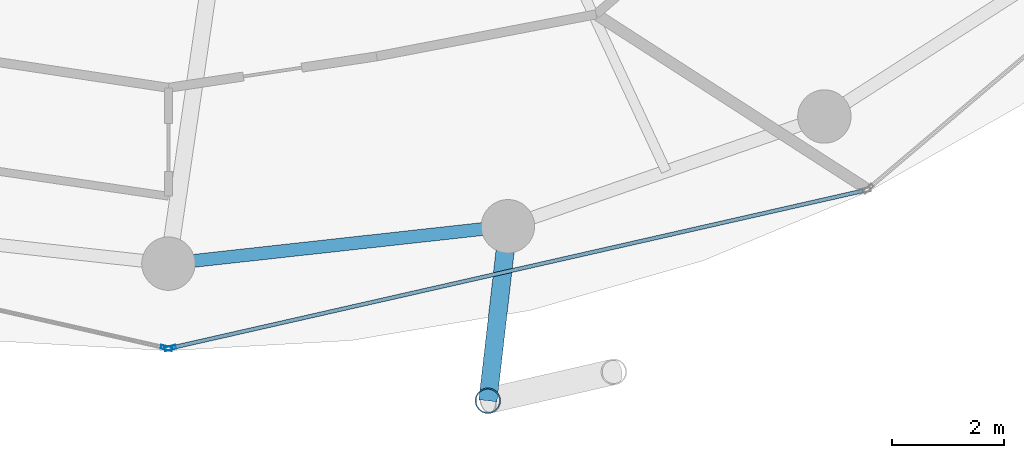
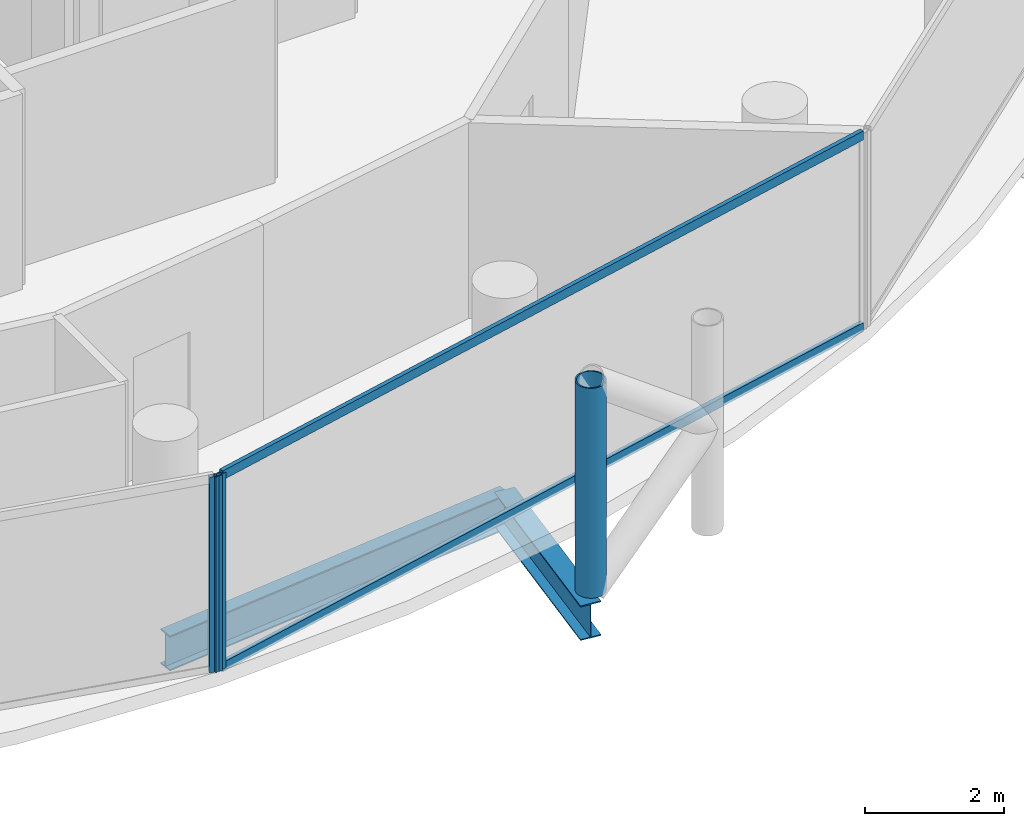
# One storey, part 4 of 26: 5 members, 2 beams, 2 elements without a shape of their own.
"""IFC4 building model written with IfcOpenShell, lengths in metres."""

from ifc_helpers import new_model, si_unit, direction, frame, origin, origin_2d, place, context, subcontext, project, spatial, hollow_rectangle, hollow_circle, i_section, extrude, material, layer, layer_set, material_profile, profile_set, type_object, element, aggregate, save


model = new_model("IFC4")

# Units and contexts
model_context = context("Model", 3, precision=1e-05, world=origin(), true_north=direction((0.0, 1.0)))
body_context = subcontext(model_context, "Body", "Model", "MODEL_VIEW")
ifc_project = project(units=[si_unit("LENGTHUNIT", "METRE"), si_unit("AREAUNIT", "SQUARE_METRE"), si_unit("VOLUMEUNIT", "CUBIC_METRE"), si_unit("PLANEANGLEUNIT", "RADIAN"), si_unit("MASSUNIT", "GRAM", prefix="KILO")], contexts=[model_context])

# Site, building, storey
site_placement = place(None, origin())
site = spatial("IfcSite", under=ifc_project, at=site_placement, CompositionType="ELEMENT")
building_placement = place(site_placement, origin())
building = spatial("IfcBuilding", under=site, at=building_placement, Name="Nuhasar Tower", CompositionType="ELEMENT")
storey_placement = place(building_placement, frame((0.0, 0.0, 177.449951171875)))
storey = spatial("IfcBuildingStorey", under=building, at=storey_placement, Name="L43", CompositionType="ELEMENT", Elevation=177.449951171875)

# Beams
ifc_material_1 = material(Name="Steel S355", Category="steel")
ifc_material_profile_1 = material_profile(ifc_material_1, i_section(OverallWidth=0.22998046875, OverallDepth=0.616943359375, WebThickness=0.01318359375, FlangeThickness=0.022216796875, at=origin_2d()), Name="W24X94")
ifc_profile_set_1 = profile_set([ifc_material_profile_1], Name="Steel S355")
beam_type_1 = type_object("IfcBeamType", Name="BM-RING-W24X94", PredefinedType="SPANDREL", material=ifc_profile_set_1)
beam_1_placement = place(storey_placement, frame((39.0, 7.25, -0.558837890625), z_axis=(0.993981289157, 0.109549974015, 0.0), x_axis=(-0.109549974015, 0.993981289157, 0.0)))
element("IfcBeam", 1, at=beam_1_placement, inside=storey, type_object=beam_type_1, Name="L43 Perimeter Ring Spandrel 19", PredefinedType="SPANDREL", context=body_context, shape_type="SweptSolid", body=[
    extrude(i_section(OverallWidth=0.22998046875, OverallDepth=0.616943359375, WebThickness=0.01318359375, FlangeThickness=0.022216796875, at=origin_2d()), origin(), (0.0, 0.0, 1.0), 6.07958984375),
])
ifc_material_profile_2 = material_profile(ifc_material_1, i_section(OverallWidth=0.323974609375, OverallDepth=0.611083984375, WebThickness=0.0126953125, FlangeThickness=0.01904296875, at=origin_2d()), Name="W24X104")
ifc_profile_set_2 = profile_set([ifc_material_profile_2], Name="Steel S355")
beam_type_2 = type_object("IfcBeamType", Name="BM-TIE-W24X104", PredefinedType="BEAM", material=ifc_profile_set_2)
beam_2_placement = place(storey_placement, frame((45.04296875, 7.916015625, -0.555908203125), z_axis=(-0.114167639647, -0.993461499031, 0.0), x_axis=(0.993461499031, -0.114167639647, 0.0)))
element("IfcBeam", 2, at=beam_2_placement, inside=storey, type_object=beam_type_2, Name="L43 Exoskeleton Node Tie Beam 10", PredefinedType="BEAM", context=body_context, shape_type="SweptSolid", body=[
    extrude(i_section(OverallWidth=0.323974609375, OverallDepth=0.611083984375, WebThickness=0.0126953125, FlangeThickness=0.01904296875, at=origin_2d()), origin(), (0.0, 0.0, 1.0), 3.12646484375),
])

# Curtain wall, member
ifc_material_2 = material(Name="Aluminium 6063-T6", Category="aluminium")
ifc_layer = layer(ifc_material_2, 0.199951171875)
ifc_layer_set = layer_set([ifc_layer], Name="Aluminium 6063-T6")
curtain_wall_type = type_object("IfcCurtainWallType", Name="CW-Z2-HTL", PredefinedType="NOTDEFINED", material=ifc_layer_set)
curtain_wall_1_placement = place(storey_placement, origin())
curtain_wall_1 = element("IfcCurtainWall", 3, at=curtain_wall_1_placement, inside=storey, type_object=curtain_wall_type, Name="L43 Unitised Curtain Wall 09", PredefinedType="NOTDEFINED")
ifc_material_profile_3 = material_profile(ifc_material_2, hollow_rectangle(XDim=0.070068359375, YDim=0.199951171875, WallThickness=0.0048828125, at=origin_2d()), Name="CWM-3")
ifc_profile_set_3 = profile_set([ifc_material_profile_3], Name="Aluminium 6063-T6")
member_type_1 = type_object("IfcMemberType", Name="CW-MUL-S3", PredefinedType="MULLION", material=ifc_profile_set_3)
member_1_placement = place(storey_placement, frame((38.9658203125, 5.747802734375, 0.0), z_axis=(0.0, 0.0, 1.0), x_axis=(0.22139729566, 0.975183694221, 0.0)))
member_1 = element("IfcMember", 4, at=member_1_placement, type_object=member_type_1, Name="CW-Z2 mullion 2", PredefinedType="MULLION", context=body_context, shape_type="SweptSolid", body=[
    extrude(hollow_rectangle(XDim=0.070068359375, YDim=0.199951171875, WallThickness=0.0048828125, at=origin_2d()), origin(), (0.0, 0.0, 1.0), 3.449951171875),
])
aggregate(curtain_wall_1, [member_1])

# Curtain wall, members
curtain_wall_2_placement = place(storey_placement, origin())
curtain_wall_2 = element("IfcCurtainWall", 5, at=curtain_wall_2_placement, inside=storey, type_object=curtain_wall_type, Name="L43 Unitised Curtain Wall 10", PredefinedType="NOTDEFINED")
member_2_placement = place(storey_placement, frame((39.0341796875, 5.747802734375, 0.0), z_axis=(0.0, 0.0, 1.0), x_axis=(-0.22139729566, 0.975183694221, 0.0)))
member_2 = element("IfcMember", 6, at=member_2_placement, type_object=member_type_1, Name="CW-Z2 mullion 1", PredefinedType="MULLION", context=body_context, shape_type="SweptSolid", body=[
    extrude(hollow_rectangle(XDim=0.070068359375, YDim=0.199951171875, WallThickness=0.0048828125, at=origin_2d()), origin(), (0.0, 0.0, 1.0), 3.449951171875),
])
ifc_material_profile_4 = material_profile(ifc_material_2, hollow_rectangle(XDim=0.070068359375, YDim=0.159912109375, WallThickness=0.00439453125, at=origin_2d()), Name="CWT-3")
ifc_profile_set_4 = profile_set([ifc_material_profile_4], Name="Aluminium 6063-T6")
member_type_2 = type_object("IfcMemberType", Name="CW-TRN-S3", PredefinedType="USERDEFINED", material=ifc_profile_set_4)
member_3_placement = place(storey_placement, frame((39.068359375, 5.755615234375, 0.03515625), z_axis=(0.975187615691, 0.221380022142, 0.0), x_axis=(-0.221380022142, 0.975187615691, 0.0)))
member_3 = element("IfcMember", 7, at=member_3_placement, type_object=member_type_2, Name="CW-Z2 transom 1.1", ObjectType="TRANSOM", PredefinedType="USERDEFINED", context=body_context, shape_type="SweptSolid", body=[
    extrude(hollow_rectangle(XDim=0.070068359375, YDim=0.159912109375, WallThickness=0.00439453125, at=origin_2d()), origin(), (0.0, 0.0, 1.0), 12.606201171875),
])
member_4_placement = place(storey_placement, frame((39.068359375, 5.755615234375, 3.4150390625), z_axis=(0.975187615691, 0.221380022142, 0.0), x_axis=(-0.221380022142, 0.975187615691, 0.0)))
member_4 = element("IfcMember", 8, at=member_4_placement, type_object=member_type_2, Name="CW-Z2 transom 1.2", ObjectType="TRANSOM", PredefinedType="USERDEFINED", context=body_context, shape_type="SweptSolid", body=[
    extrude(hollow_rectangle(XDim=0.070068359375, YDim=0.159912109375, WallThickness=0.00439453125, at=origin_2d()), origin(), (0.0, 0.0, 1.0), 12.606201171875),
])
aggregate(curtain_wall_2, [member_2, member_3, member_4])

# Member
ifc_material_3 = material(Name="Steel S460", Category="steel")
ifc_material_profile_5 = material_profile(ifc_material_3, hollow_circle(Radius=0.228515625, WallThickness=0.022216796875, at=origin_2d()), Name="HSS457X22.2")
ifc_profile_set_5 = profile_set([ifc_material_profile_5], Name="Steel S460")
member_type_3 = type_object("IfcMemberType", Name="EXO-BRONZE-457", PredefinedType="BRACE", material=ifc_profile_set_5)
member_5_placement = place(storey_placement, frame((44.68603515625, 4.81005859375, 0.0), z_axis=(0.0, 0.0, 1.0), x_axis=(1.0, 0.0, 0.0)))
element("IfcMember", 9, at=member_5_placement, inside=storey, type_object=member_type_3, Name="L43 Exoskeleton Chord Column EC-10A", PredefinedType="BRACE", context=body_context, shape_type="SweptSolid", body=[
    extrude(hollow_circle(Radius=0.228515625, WallThickness=0.022216796875, at=origin_2d()), origin(), (0.0, 0.0, 1.0), 3.699951171875),
])

save(model, "model.ifc")
